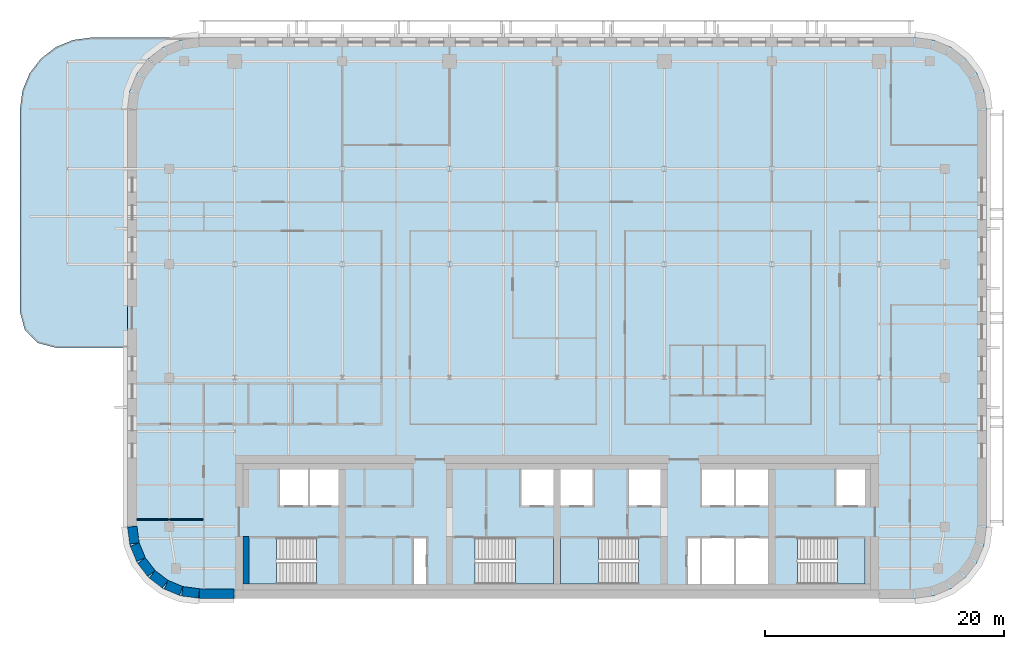
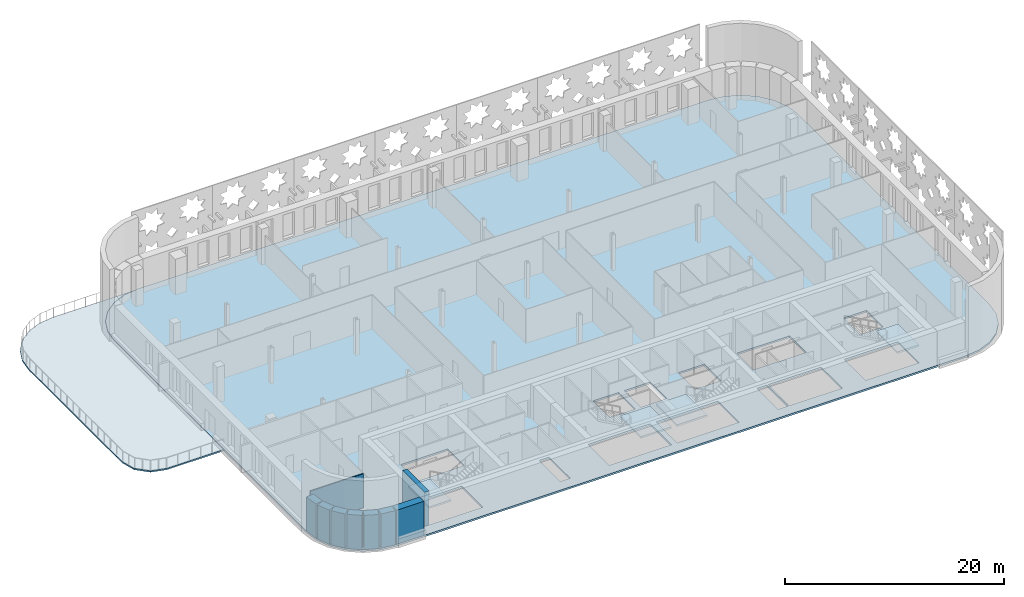
# One storey, part 5 of 17: 9 walls, 6 slabs, 4 elements without a shape of their own.
"""IFC4 building model written with IfcOpenShell, lengths in metres."""

from ifc_helpers import new_model, si_unit, direction, frame, frame_2d, origin, place, context, subcontext, project, spatial, polyline, rectangle, outline, extrude, material, layer, layer_set, type_object, element, aggregate, save


model = new_model("IFC4")

# Units and contexts
model_context = context("Model", 3, precision=1e-05, world=origin(), true_north=direction((0.0, 1.0)))
body_context = subcontext(model_context, "Body", "Model", "MODEL_VIEW")
ifc_project = project(units=[si_unit("LENGTHUNIT", "METRE"), si_unit("AREAUNIT", "SQUARE_METRE"), si_unit("VOLUMEUNIT", "CUBIC_METRE"), si_unit("PLANEANGLEUNIT", "RADIAN"), si_unit("MASSUNIT", "GRAM", prefix="KILO")], contexts=[model_context])

# Site, building, storey
site_placement = place(None, origin())
site = spatial("IfcSite", under=ifc_project, at=site_placement, CompositionType="ELEMENT")
building_placement = place(site_placement, origin())
building = spatial("IfcBuilding", under=site, at=building_placement, Name="Zellij Exchange Tower", CompositionType="ELEMENT")
storey_placement = place(building_placement, frame((0.0, 0.0, 256.5)))
storey = spatial("IfcBuildingStorey", under=building, at=storey_placement, Name="L60", CompositionType="ELEMENT", Elevation=256.5)

# Stair, slab
ifc_material_1 = material(Name="Concrete C40/50", Category="concrete")
stair_type = type_object("IfcStairType", Name="CORE-ST exit stair 1850 wide", PredefinedType="HALF_TURN_STAIR", material=ifc_material_1)
stair_1_placement = place(storey_placement, origin())
stair_1 = element("IfcStair", 1, at=stair_1_placement, inside=storey, type_object=stair_type, Name="L60 exit stair ST1", PredefinedType="HALF_TURN_STAIR")
ifc_layer_1 = layer(ifc_material_1, 0.199951171875)
ifc_layer_set_1 = layer_set([ifc_layer_1], Name="Concrete C40/50")
slab_type_1 = type_object("IfcSlabType", Name="CORE-SL stair landing 200", PredefinedType="LANDING", material=ifc_layer_set_1)
slab_1_placement = place(storey_placement, frame((0.0, 0.0, 1.800048828125)))
slab_1 = element("IfcSlab", 2, at=slab_1_placement, type_object=slab_type_1, Name="ST1 landing 1", PredefinedType="LANDING", context=body_context, shape_type="SweptSolid", body=[
    extrude(outline(polyline([(-23.510009765625, -8.949951171875), (-25.800048828125, -8.949951171875), (-25.800048828125, -12.800048828125), (-23.510009765625, -12.800048828125), (-23.510009765625, -8.949951171875)])), origin(), (0.0, 0.0, 1.0), 0.199951171875),
])
aggregate(stair_1, [slab_1])

stair_2_placement = place(storey_placement, origin())
stair_2 = element("IfcStair", 3, at=stair_2_placement, inside=storey, type_object=stair_type, Name="L60 exit stair ST2", PredefinedType="HALF_TURN_STAIR")
slab_2_placement = place(storey_placement, frame((0.0, 0.0, 1.800048828125)))
slab_2 = element("IfcSlab", 4, at=slab_2_placement, type_object=slab_type_1, Name="ST2 landing 1", PredefinedType="LANDING", context=body_context, shape_type="SweptSolid", body=[
    extrude(outline(polyline([(-3.489990234375, -12.800048828125), (-0.300048828125, -12.800048828125), (-0.300048828125, -8.949951171875), (-3.489990234375, -8.949951171875), (-3.489990234375, -12.800048828125)])), origin(), (0.0, 0.0, 1.0), 0.199951171875),
])
aggregate(stair_2, [slab_2])

stair_3_placement = place(storey_placement, origin())
stair_3 = element("IfcStair", 5, at=stair_3_placement, inside=storey, type_object=stair_type, Name="L60 exit stair ST3", PredefinedType="HALF_TURN_STAIR")
slab_3_placement = place(storey_placement, frame((0.0, 0.0, 1.800048828125)))
slab_3 = element("IfcSlab", 6, at=slab_3_placement, type_object=slab_type_1, Name="ST3 landing 1", PredefinedType="LANDING", context=body_context, shape_type="SweptSolid", body=[
    extrude(outline(polyline([(3.489990234375, -8.949951171875), (0.300048828125, -8.949951171875), (0.300048828125, -12.800048828125), (3.489990234375, -12.800048828125), (3.489990234375, -8.949951171875)])), origin(), (0.0, 0.0, 1.0), 0.199951171875),
])
aggregate(stair_3, [slab_3])

stair_4_placement = place(storey_placement, origin())
stair_4 = element("IfcStair", 7, at=stair_4_placement, inside=storey, type_object=stair_type, Name="L60 exit stair ST4", PredefinedType="HALF_TURN_STAIR")
slab_4_placement = place(storey_placement, frame((0.0, 0.0, 1.800048828125)))
slab_4 = element("IfcSlab", 8, at=slab_4_placement, type_object=slab_type_1, Name="ST4 landing 1", PredefinedType="LANDING", context=body_context, shape_type="SweptSolid", body=[
    extrude(outline(polyline([(23.510009765625, -12.800048828125), (25.800048828125, -12.800048828125), (25.800048828125, -8.949951171875), (23.510009765625, -8.949951171875), (23.510009765625, -12.800048828125)])), origin(), (0.0, 0.0, 1.0), 0.199951171875),
])
aggregate(stair_4, [slab_4])

# Slabs
ifc_layer_2 = layer(ifc_material_1, 0.199951171875)
ifc_layer_set_2 = layer_set([ifc_layer_2], Name="Concrete C40/50")
slab_type_2 = type_object("IfcSlabType", Name="ENV-TERRACE SLAB 200 C40/50", PredefinedType="FLOOR", material=ifc_layer_set_2)
slab_5_placement = place(storey_placement, frame((0.0, 0.0, -0.199951171875)))
element("IfcSlab", 9, at=slab_5_placement, inside=storey, type_object=slab_type_2, Name="Terrace slab L60", PredefinedType="FLOOR", context=body_context, shape_type="SweptSolid", body=[
    extrude(outline(polyline([(-44.59814453125, 8.5), (-43.5, 7.40185546875), (-42.0, 7.0), (-36.0, 7.0), (-36.0, 27.0), (-35.795654296875, 28.552978515625), (-35.1962890625, 30.0), (-34.24267578125, 31.24267578125), (-33.0, 32.1962890625), (-31.552978515625, 32.795654296875), (-30.0, 33.0), (-39.0, 33.0), (-40.552978515625, 32.795654296875), (-42.0, 32.1962890625), (-43.24267578125, 31.24267578125), (-44.1962890625, 30.0), (-44.795654296875, 28.552978515625), (-45.0, 27.0), (-45.0, 10.0), (-44.59814453125, 8.5)])), origin(), (0.0, 0.0, 1.0), 0.159912109375),
])
ifc_layer_3 = layer(ifc_material_1, 0.199951171875)
ifc_layer_set_3 = layer_set([ifc_layer_3], Name="Concrete C40/50")
slab_type_3 = type_object("IfcSlabType", Name="STR-FLOOR SLAB 200 C40/50", PredefinedType="FLOOR", material=ifc_layer_set_3)
slab_6_placement = place(storey_placement, frame((0.0, 0.0, -0.2001953125)))
element("IfcSlab", 10, at=slab_6_placement, inside=storey, type_object=slab_type_3, Name="Floor L60", PredefinedType="FLOOR", context=body_context, shape_type="SweptSolid", body=[
    extrude(outline(polyline([(-30.0, -14.0), (-31.552978515625, -13.795654296875), (-33.0, -13.1962890625), (-34.24267578125, -12.24267578125), (-35.1962890625, -11.0), (-35.795654296875, -9.552978515625), (-36.0, -8.0), (-36.0, 27.0), (-35.795654296875, 28.552978515625), (-35.1962890625, 30.0), (-34.24267578125, 31.24267578125), (-33.0, 32.1962890625), (-31.552978515625, 32.795654296875), (-30.0, 33.0), (30.0, 33.0), (31.552978515625, 32.795654296875), (33.0, 32.1962890625), (34.24267578125, 31.24267578125), (35.1962890625, 30.0), (35.795654296875, 28.552978515625), (36.0, 27.0), (36.0, -8.0), (35.795654296875, -9.552978515625), (35.1962890625, -11.0), (34.24267578125, -12.24267578125), (33.0, -13.1962890625), (31.552978515625, -13.795654296875), (30.0, -14.0), (-30.0, -14.0)]), holes=[polyline([(-25.800048828125, -8.949951171875), (-25.800048828125, -12.800048828125), (-20.153076171875, -12.800048828125), (-20.153076171875, -8.949951171875), (-25.800048828125, -8.949951171875)]), polyline([(-10.949951171875, -8.949951171875), (-12.0, -8.949951171875), (-12.0, -12.800048828125), (-10.949951171875, -12.800048828125), (-10.949951171875, -8.949951171875)]), polyline([(-0.300048828125, -8.949951171875), (-6.846923828125, -8.949951171875), (-6.846923828125, -12.800048828125), (-0.300048828125, -12.800048828125), (-0.300048828125, -8.949951171875)]), polyline([(0.300048828125, -8.949951171875), (0.300048828125, -12.800048828125), (6.846923828125, -12.800048828125), (6.846923828125, -8.949951171875), (0.300048828125, -8.949951171875)]), polyline([(-18.300048828125, -3.199951171875), (-23.25, -3.199951171875), (-23.25, -6.22509765625), (-18.300048828125, -6.22509765625), (-18.300048828125, -3.199951171875)]), polyline([(-0.300048828125, -3.199951171875), (-3.0, -3.199951171875), (-3.0, -6.22509765625), (-0.300048828125, -6.22509765625), (-0.300048828125, -3.199951171875)]), polyline([(0.300048828125, -3.199951171875), (0.300048828125, -6.22509765625), (3.0, -6.22509765625), (3.0, -3.199951171875), (0.300048828125, -3.199951171875)]), polyline([(12.0, -8.949951171875), (10.949951171875, -8.949951171875), (10.949951171875, -12.800048828125), (12.0, -12.800048828125), (12.0, -8.949951171875)]), polyline([(17.699951171875, -8.949951171875), (12.14990234375, -8.949951171875), (12.14990234375, -12.800048828125), (17.699951171875, -12.800048828125), (17.699951171875, -8.949951171875)]), polyline([(25.800048828125, -8.949951171875), (20.153076171875, -8.949951171875), (20.153076171875, -12.800048828125), (25.800048828125, -12.800048828125), (25.800048828125, -8.949951171875)]), polyline([(8.699951171875, -3.199951171875), (6.0, -3.199951171875), (6.0, -6.22509765625), (8.699951171875, -6.22509765625), (8.699951171875, -3.199951171875)]), polyline([(17.699951171875, -3.199951171875), (12.14990234375, -3.199951171875), (12.14990234375, -6.22509765625), (17.699951171875, -6.22509765625), (17.699951171875, -3.199951171875)]), polyline([(25.800048828125, -3.199951171875), (23.39990234375, -3.199951171875), (23.39990234375, -6.22509765625), (25.800048828125, -6.22509765625), (25.800048828125, -3.199951171875)])]), origin(), (0.0, 0.0, 1.0), 0.2001953125),
])

# Walls
ifc_material_2 = material(Name="Concrete C30/37", Category="concrete")
ifc_layer_4 = layer(ifc_material_2, 0.5)
ifc_layer_set_4 = layer_set([ifc_layer_4], Name="Concrete C30/37")
wall_type_1 = type_object("IfcWallType", Name="CORE-LW 500 C30/37", PredefinedType="SHEAR", material=ifc_layer_set_4)
wall_1_placement = place(storey_placement, frame((-26.050048828125, -12.800048828125, 0.0), z_axis=(0.0, 0.0, 1.0), x_axis=(0.0, 1.0, 0.0)))
element("IfcWall", 11, at=wall_1_placement, inside=storey, type_object=wall_type_1, Name="Core wall lining end w.0 L60", PredefinedType="SHEAR", context=body_context, shape_type="SweptSolid", body=[
    extrude(rectangle(XDim=4.0, YDim=0.5, at=frame_2d((2.0, 0.0))), origin(), (0.0, 0.0, 1.0), 3.800048828125),
])
ifc_material_3 = material(Name="Precast concrete C40/50", Category="concrete")
ifc_layer_5 = layer(ifc_material_3, 0.800048828125)
ifc_layer_set_5 = layer_set([ifc_layer_5], Name="Precast concrete C40/50")
wall_type_2 = type_object("IfcWallType", Name="ENV-EW1 Precast stone-piered wall 800", PredefinedType="SOLIDWALL", material=ifc_layer_set_5)
wall_2_placement = place(storey_placement, frame((-29.947509765625, -13.60009765625, 0.0), z_axis=(0.0, 0.0, 1.0), x_axis=(1.0, 0.0, 0.0)))
element("IfcWall", 12, at=wall_2_placement, inside=storey, type_object=wall_type_2, Name="fac.L60.00a", PredefinedType="SOLIDWALL", context=body_context, shape_type="SweptSolid", body=[
    extrude(rectangle(XDim=2.8974609375, YDim=0.800048828125, at=frame_2d((1.44873046875, 0.0))), origin(), (0.0, 0.0, 1.0), 3.800048828125),
])
wall_3_placement = place(storey_placement, frame((-35.5966796875, -7.999755859375, 0.0), z_axis=(0.0, 0.0, 1.0), x_axis=(0.130517283865, -0.99144603414, 0.0)))
element("IfcWall", 13, at=wall_3_placement, inside=storey, type_object=wall_type_2, Name="fac.L60.22", PredefinedType="SOLIDWALL", context=body_context, shape_type="SweptSolid", body=[
    extrude(rectangle(XDim=1.408447265625, YDim=0.800048828125, at=frame_2d((0.7041015625, 0.0))), origin(), (0.0, 0.0, 1.0), 3.800048828125),
])
wall_4_placement = place(storey_placement, frame((-35.3857421875, -9.497314453125, 0.0), z_axis=(0.0, 0.0, 1.0), x_axis=(0.38276009378, -0.923847774587, 0.0)))
element("IfcWall", 14, at=wall_4_placement, inside=storey, type_object=wall_type_2, Name="fac.L60.23", PredefinedType="SOLIDWALL", context=body_context, shape_type="SweptSolid", body=[
    extrude(rectangle(XDim=1.35546875, YDim=0.800048828125, at=frame_2d((0.677734375, 0.0))), origin(), (0.0, 0.0, 1.0), 3.800048828125),
])
for number, where, z_axis, x_axis, name in (
    (15, (-34.814697265625, -10.840087890625, 0.0), (0.0, 0.0, 1.0), (0.608866226366, -0.793272915452, 0.0), "fac.L60.24"),
    (16, (-33.91552734375, -11.9892578125, 0.0), (0.0, 0.0, 1.0), (0.793272915452, -0.608866226366, 0.0), "fac.L60.25"),
):
    element("IfcWall", number, at=place(storey_placement, frame(where, z_axis=z_axis, x_axis=x_axis)), inside=storey, type_object=wall_type_2, Name=name, PredefinedType="SOLIDWALL", context=body_context, shape_type="SweptSolid", body=[
        extrude(rectangle(XDim=1.355712890625, YDim=0.800048828125, at=frame_2d((0.677734375, 0.0))), origin(), (0.0, 0.0, 1.0), 3.800048828125),
    ])
wall_5_placement = place(storey_placement, frame((-32.74951171875, -12.866943359375, 0.0), z_axis=(0.0, 0.0, 1.0), x_axis=(0.923847774587, -0.38276009378, 0.0)))
element("IfcWall", 17, at=wall_5_placement, inside=storey, type_object=wall_type_2, Name="fac.L60.26", PredefinedType="SOLIDWALL", context=body_context, shape_type="SweptSolid", body=[
    extrude(rectangle(XDim=1.35546875, YDim=0.800048828125, at=frame_2d((0.677734375, 0.0))), origin(), (0.0, 0.0, 1.0), 3.800048828125),
])
wall_6_placement = place(storey_placement, frame((-31.396240234375, -13.412841796875, 0.0), z_axis=(0.0, 0.0, 1.0), x_axis=(0.99144603414, -0.130517283865, 0.0)))
element("IfcWall", 18, at=wall_6_placement, inside=storey, type_object=wall_type_2, Name="fac.L60.27", PredefinedType="SOLIDWALL", context=body_context, shape_type="SweptSolid", body=[
    extrude(rectangle(XDim=1.408447265625, YDim=0.800048828125, at=frame_2d((0.7041015625, 0.0))), origin(), (0.0, 0.0, 1.0), 3.800048828125),
])
ifc_material_4 = material(Name="Gypsum board partition on steel studs", Category="steel")
ifc_layer_6 = layer(ifc_material_4, 0.10009765625)
ifc_layer_set_6 = layer_set([ifc_layer_6], Name="Gypsum board partition on steel studs")
wall_type_3 = type_object("IfcWallType", Name="FIT-PARTITION-100", PredefinedType="PARTITIONING", material=ifc_layer_set_6)
wall_7_placement = place(storey_placement, frame((-35.199951171875, -7.39990234375, 0.0), z_axis=(0.0, 0.0, 1.0), x_axis=(1.0, 0.0, 0.0)))
element("IfcWall", 19, at=wall_7_placement, inside=storey, type_object=wall_type_3, Name="FIT-PARTITION-100 003", PredefinedType="PARTITIONING", context=body_context, shape_type="SweptSolid", body=[
    extrude(rectangle(XDim=5.550048828125, YDim=0.10009765625, at=frame_2d((2.77490234375, 0.0))), origin(), (0.0, 0.0, 1.0), 3.800048828125),
])

save(model, "model.ifc")
